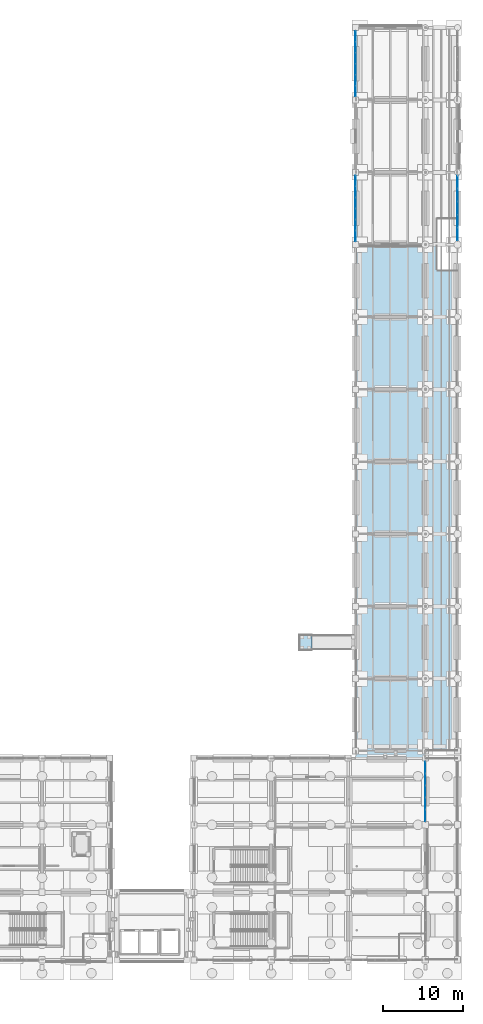
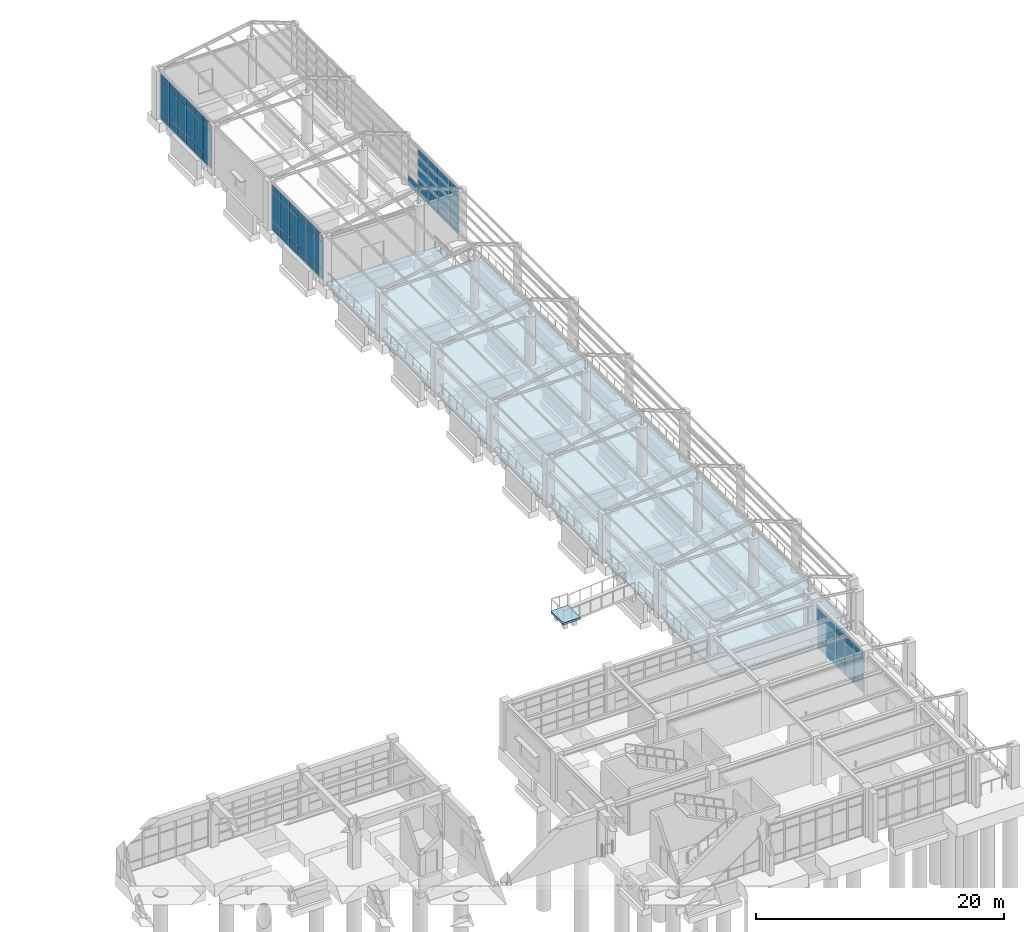
# One storey, part 79 of 111: 64 plates, 3 slabs, 4 elements without a shape of their own.
"""IFC4 building model written with IfcOpenShell, lengths in metres."""

from ifc_helpers import new_model, si_unit, direction, frame, origin, origin_2d, place, context, subcontext, project, spatial, polyline, rectangle, outline, extrude, material, layer, layer_set, type_object, element, aggregate, save


model = new_model("IFC4")

# Units and contexts
model_context = context("Model", 3, precision=1e-05, world=origin(), true_north=direction((0.0, 1.0)))
body_context = subcontext(model_context, "Body", "Model", "MODEL_VIEW")
ifc_project = project(units=[si_unit("LENGTHUNIT", "METRE"), si_unit("AREAUNIT", "SQUARE_METRE"), si_unit("VOLUMEUNIT", "CUBIC_METRE"), si_unit("PLANEANGLEUNIT", "RADIAN"), si_unit("MASSUNIT", "GRAM", prefix="KILO")], contexts=[model_context])

# Site, building, storey
site_placement = place(None, origin())
site = spatial("IfcSite", under=ifc_project, at=site_placement, CompositionType="ELEMENT")
building_placement = place(site_placement, origin())
building = spatial("IfcBuilding", under=site, at=building_placement, Name="Canglan Escarpment Cableway Terminal", CompositionType="ELEMENT")
storey_placement = place(building_placement, frame((0.0, 0.0, 4.800048828125)))
storey = spatial("IfcBuildingStorey", under=building, at=storey_placement, Name="L01", CompositionType="ELEMENT", Elevation=4.800048828125)

# Curtain wall, plates
ifc_material_1 = material(Name="Anodized bronze aluminium and Low-E double glazing", Category="aluminium")
curtain_wall_type_1 = type_object("IfcCurtainWallType", Name="CW-BAY-7525x4125", PredefinedType="NOTDEFINED", material=ifc_material_1)
curtain_wall_1_placement = place(storey_placement, origin())
curtain_wall_1 = element("IfcCurtainWall", 1, at=curtain_wall_1_placement, inside=storey, type_object=curtain_wall_type_1, Name="Classical bay-between-piers glazed curtain wall CW-24", PredefinedType="NOTDEFINED")
ifc_material_2 = material(Name="Double-silver Low-E laminated insulating glass", Category="glass")
ifc_layer_1 = layer(ifc_material_2, 0.02392578125, Name="Double-silver Low-E laminated insulating glass")
ifc_layer_set_1 = layer_set([ifc_layer_1], Name="Double-silver Low-E laminated insulating glass")
plate_type_1 = type_object("IfcPlateType", Name="CWP-01", PredefinedType="CURTAIN_PANEL", material=ifc_layer_set_1)
plate_1_placement = place(storey_placement, frame((176.0, 25.96875, 0.06494140625), z_axis=(0.0, 0.0, 1.0), x_axis=(0.0, 1.0, 0.0)))
plate_1 = element("IfcPlate", 2, at=plate_1_placement, type_object=plate_type_1, Name="CW-24 panel 1.1", PredefinedType="CURTAIN_PANEL", context=body_context, shape_type="SweptSolid", body=[
    extrude(rectangle(XDim=1.407470703125, YDim=0.02392578125, at=origin_2d()), origin(), (0.0, 0.0, 1.0), 0.8525390625),
])
plate_2_placement = place(storey_placement, frame((176.0, 25.96875, 0.982421875), z_axis=(0.0, 0.0, 1.0), x_axis=(0.0, 1.0, 0.0)))
plate_2 = element("IfcPlate", 3, at=plate_2_placement, type_object=plate_type_1, Name="CW-24 panel 1.2", PredefinedType="CURTAIN_PANEL", context=body_context, shape_type="SweptSolid", body=[
    extrude(rectangle(XDim=1.407470703125, YDim=0.02392578125, at=origin_2d()), origin(), (0.0, 0.0, 1.0), 2.260009765625),
])
plate_3_placement = place(storey_placement, frame((176.0, 25.96875, 3.307373046875), z_axis=(0.0, 0.0, 1.0), x_axis=(0.0, 1.0, 0.0)))
plate_3 = element("IfcPlate", 4, at=plate_3_placement, type_object=plate_type_1, Name="CW-24 panel 1.3", PredefinedType="CURTAIN_PANEL", context=body_context, shape_type="SweptSolid", body=[
    extrude(rectangle(XDim=1.407470703125, YDim=0.02392578125, at=origin_2d()), origin(), (0.0, 0.0, 1.0), 0.75244140625),
])
plate_4_placement = place(storey_placement, frame((176.0, 27.45751953125, 0.06494140625), z_axis=(0.0, 0.0, 1.0), x_axis=(0.0, 1.0, 0.0)))
plate_4 = element("IfcPlate", 5, at=plate_4_placement, type_object=plate_type_1, Name="CW-24 panel 2.1", PredefinedType="CURTAIN_PANEL", context=body_context, shape_type="SweptSolid", body=[
    extrude(rectangle(XDim=1.43994140625, YDim=0.02392578125, at=origin_2d()), origin(), (0.0, 0.0, 1.0), 0.8525390625),
])
plate_5_placement = place(storey_placement, frame((176.0, 27.45751953125, 0.982421875), z_axis=(0.0, 0.0, 1.0), x_axis=(0.0, 1.0, 0.0)))
plate_5 = element("IfcPlate", 6, at=plate_5_placement, type_object=plate_type_1, Name="CW-24 panel 2.2", PredefinedType="CURTAIN_PANEL", context=body_context, shape_type="SweptSolid", body=[
    extrude(rectangle(XDim=1.43994140625, YDim=0.02392578125, at=origin_2d()), origin(), (0.0, 0.0, 1.0), 2.260009765625),
])
plate_6_placement = place(storey_placement, frame((176.0, 27.45751953125, 3.307373046875), z_axis=(0.0, 0.0, 1.0), x_axis=(0.0, 1.0, 0.0)))
plate_6 = element("IfcPlate", 7, at=plate_6_placement, type_object=plate_type_1, Name="CW-24 panel 2.3", PredefinedType="CURTAIN_PANEL", context=body_context, shape_type="SweptSolid", body=[
    extrude(rectangle(XDim=1.43994140625, YDim=0.02392578125, at=origin_2d()), origin(), (0.0, 0.0, 1.0), 0.75244140625),
])
plate_7_placement = place(storey_placement, frame((176.0, 28.96240234375, 0.06494140625), z_axis=(0.0, 0.0, 1.0), x_axis=(0.0, 1.0, 0.0)))
plate_7 = element("IfcPlate", 8, at=plate_7_placement, type_object=plate_type_1, Name="CW-24 panel 3.1", PredefinedType="CURTAIN_PANEL", context=body_context, shape_type="SweptSolid", body=[
    extrude(rectangle(XDim=1.43994140625, YDim=0.02392578125, at=origin_2d()), origin(), (0.0, 0.0, 1.0), 0.8525390625),
])
plate_8_placement = place(storey_placement, frame((176.0, 28.96240234375, 0.982421875), z_axis=(0.0, 0.0, 1.0), x_axis=(0.0, 1.0, 0.0)))
plate_8 = element("IfcPlate", 9, at=plate_8_placement, type_object=plate_type_1, Name="CW-24 panel 3.2", PredefinedType="CURTAIN_PANEL", context=body_context, shape_type="SweptSolid", body=[
    extrude(rectangle(XDim=1.43994140625, YDim=0.02392578125, at=origin_2d()), origin(), (0.0, 0.0, 1.0), 2.260009765625),
])
plate_9_placement = place(storey_placement, frame((176.0, 28.96240234375, 3.307373046875), z_axis=(0.0, 0.0, 1.0), x_axis=(0.0, 1.0, 0.0)))
plate_9 = element("IfcPlate", 10, at=plate_9_placement, type_object=plate_type_1, Name="CW-24 panel 3.3", PredefinedType="CURTAIN_PANEL", context=body_context, shape_type="SweptSolid", body=[
    extrude(rectangle(XDim=1.43994140625, YDim=0.02392578125, at=origin_2d()), origin(), (0.0, 0.0, 1.0), 0.75244140625),
])
plate_10_placement = place(storey_placement, frame((176.0, 30.467529296875, 0.06494140625), z_axis=(0.0, 0.0, 1.0), x_axis=(0.0, 1.0, 0.0)))
plate_10 = element("IfcPlate", 11, at=plate_10_placement, type_object=plate_type_1, Name="CW-24 panel 4.1", PredefinedType="CURTAIN_PANEL", context=body_context, shape_type="SweptSolid", body=[
    extrude(rectangle(XDim=1.43994140625, YDim=0.02392578125, at=origin_2d()), origin(), (0.0, 0.0, 1.0), 0.8525390625),
])
plate_11_placement = place(storey_placement, frame((176.0, 30.467529296875, 0.982421875), z_axis=(0.0, 0.0, 1.0), x_axis=(0.0, 1.0, 0.0)))
plate_11 = element("IfcPlate", 12, at=plate_11_placement, type_object=plate_type_1, Name="CW-24 panel 4.2", PredefinedType="CURTAIN_PANEL", context=body_context, shape_type="SweptSolid", body=[
    extrude(rectangle(XDim=1.43994140625, YDim=0.02392578125, at=origin_2d()), origin(), (0.0, 0.0, 1.0), 2.260009765625),
])
plate_12_placement = place(storey_placement, frame((176.0, 30.467529296875, 3.307373046875), z_axis=(0.0, 0.0, 1.0), x_axis=(0.0, 1.0, 0.0)))
plate_12 = element("IfcPlate", 13, at=plate_12_placement, type_object=plate_type_1, Name="CW-24 panel 4.3", PredefinedType="CURTAIN_PANEL", context=body_context, shape_type="SweptSolid", body=[
    extrude(rectangle(XDim=1.43994140625, YDim=0.02392578125, at=origin_2d()), origin(), (0.0, 0.0, 1.0), 0.75244140625),
])
plate_13_placement = place(storey_placement, frame((176.0, 31.956298828125, 0.06494140625), z_axis=(0.0, 0.0, 1.0), x_axis=(0.0, 1.0, 0.0)))
plate_13 = element("IfcPlate", 14, at=plate_13_placement, type_object=plate_type_1, Name="CW-24 panel 5.1", PredefinedType="CURTAIN_PANEL", context=body_context, shape_type="SweptSolid", body=[
    extrude(rectangle(XDim=1.407470703125, YDim=0.02392578125, at=origin_2d()), origin(), (0.0, 0.0, 1.0), 0.8525390625),
])
plate_14_placement = place(storey_placement, frame((176.0, 31.956298828125, 0.982421875), z_axis=(0.0, 0.0, 1.0), x_axis=(0.0, 1.0, 0.0)))
plate_14 = element("IfcPlate", 15, at=plate_14_placement, type_object=plate_type_1, Name="CW-24 panel 5.2", PredefinedType="CURTAIN_PANEL", context=body_context, shape_type="SweptSolid", body=[
    extrude(rectangle(XDim=1.407470703125, YDim=0.02392578125, at=origin_2d()), origin(), (0.0, 0.0, 1.0), 2.260009765625),
])
plate_15_placement = place(storey_placement, frame((176.0, 31.956298828125, 3.307373046875), z_axis=(0.0, 0.0, 1.0), x_axis=(0.0, 1.0, 0.0)))
plate_15 = element("IfcPlate", 16, at=plate_15_placement, type_object=plate_type_1, Name="CW-24 panel 5.3", PredefinedType="CURTAIN_PANEL", context=body_context, shape_type="SweptSolid", body=[
    extrude(rectangle(XDim=1.407470703125, YDim=0.02392578125, at=origin_2d()), origin(), (0.0, 0.0, 1.0), 0.75244140625),
])
aggregate(curtain_wall_1, [plate_1, plate_2, plate_3, plate_4, plate_5, plate_6, plate_7, plate_8, plate_9, plate_10, plate_11, plate_12, plate_13, plate_14, plate_15])

curtain_wall_type_2 = type_object("IfcCurtainWallType", Name="CW-BAY-8250x4550", PredefinedType="NOTDEFINED", material=ifc_material_1)
curtain_wall_2_placement = place(storey_placement, origin())
curtain_wall_2 = element("IfcCurtainWall", 17, at=curtain_wall_2_placement, inside=storey, type_object=curtain_wall_type_2, Name="Classical bay-between-piers glazed curtain wall CW-42", PredefinedType="NOTDEFINED")
ifc_layer_2 = layer(ifc_material_2, 0.028076171875, Name="Double-silver Low-E laminated insulating glass")
ifc_layer_set_2 = layer_set([ifc_layer_2], Name="Double-silver Low-E laminated insulating glass")
plate_type_2 = type_object("IfcPlateType", Name="CWP-02", PredefinedType="CURTAIN_PANEL", material=ifc_layer_set_2)
plate_16_placement = place(storey_placement, frame((167.300048828125, 122.922607421875, 0.05517578125), z_axis=(0.0, 0.0, 1.0), x_axis=(0.0, -1.0, 0.0)))
plate_16 = element("IfcPlate", 18, at=plate_16_placement, type_object=plate_type_2, Name="CW-42 panel 1.1", PredefinedType="CURTAIN_PANEL", context=body_context, shape_type="SweptSolid", body=[
    extrude(rectangle(XDim=1.284912109375, YDim=0.028076171875, at=origin_2d()), origin(), (0.0, 0.0, 1.0), 0.867431640625),
])
plate_17_placement = place(storey_placement, frame((167.300048828125, 122.922607421875, 0.9775390625), z_axis=(0.0, 0.0, 1.0), x_axis=(0.0, -1.0, 0.0)))
plate_17 = element("IfcPlate", 19, at=plate_17_placement, type_object=plate_type_2, Name="CW-42 panel 1.2", PredefinedType="CURTAIN_PANEL", context=body_context, shape_type="SweptSolid", body=[
    extrude(rectangle(XDim=1.284912109375, YDim=0.028076171875, at=origin_2d()), origin(), (0.0, 0.0, 1.0), 2.695068359375),
])
plate_18_placement = place(storey_placement, frame((167.300048828125, 122.922607421875, 3.727294921875), z_axis=(0.0, 0.0, 1.0), x_axis=(0.0, -1.0, 0.0)))
plate_18 = element("IfcPlate", 20, at=plate_18_placement, type_object=plate_type_2, Name="CW-42 panel 1.3", PredefinedType="CURTAIN_PANEL", context=body_context, shape_type="SweptSolid", body=[
    extrude(rectangle(XDim=1.284912109375, YDim=0.028076171875, at=origin_2d()), origin(), (0.0, 0.0, 1.0), 0.767578125),
])
plate_19_placement = place(storey_placement, frame((167.300048828125, 121.5625, 0.05517578125), z_axis=(0.0, 0.0, 1.0), x_axis=(0.0, -1.0, 0.0)))
plate_19 = element("IfcPlate", 21, at=plate_19_placement, type_object=plate_type_2, Name="CW-42 panel 2.1", PredefinedType="CURTAIN_PANEL", context=body_context, shape_type="SweptSolid", body=[
    extrude(rectangle(XDim=1.31494140625, YDim=0.028076171875, at=origin_2d()), origin(), (0.0, 0.0, 1.0), 0.867431640625),
])
plate_20_placement = place(storey_placement, frame((167.300048828125, 121.5625, 0.9775390625), z_axis=(0.0, 0.0, 1.0), x_axis=(0.0, -1.0, 0.0)))
plate_20 = element("IfcPlate", 22, at=plate_20_placement, type_object=plate_type_2, Name="CW-42 panel 2.2", PredefinedType="CURTAIN_PANEL", context=body_context, shape_type="SweptSolid", body=[
    extrude(rectangle(XDim=1.31494140625, YDim=0.028076171875, at=origin_2d()), origin(), (0.0, 0.0, 1.0), 2.695068359375),
])
plate_21_placement = place(storey_placement, frame((167.300048828125, 121.5625, 3.727294921875), z_axis=(0.0, 0.0, 1.0), x_axis=(0.0, -1.0, 0.0)))
plate_21 = element("IfcPlate", 23, at=plate_21_placement, type_object=plate_type_2, Name="CW-42 panel 2.3", PredefinedType="CURTAIN_PANEL", context=body_context, shape_type="SweptSolid", body=[
    extrude(rectangle(XDim=1.31494140625, YDim=0.028076171875, at=origin_2d()), origin(), (0.0, 0.0, 1.0), 0.767578125),
])
plate_22_placement = place(storey_placement, frame((167.300048828125, 120.1875, 0.05517578125), z_axis=(0.0, 0.0, 1.0), x_axis=(0.0, -1.0, 0.0)))
plate_22 = element("IfcPlate", 24, at=plate_22_placement, type_object=plate_type_2, Name="CW-42 panel 3.1", PredefinedType="CURTAIN_PANEL", context=body_context, shape_type="SweptSolid", body=[
    extrude(rectangle(XDim=1.31494140625, YDim=0.028076171875, at=origin_2d()), origin(), (0.0, 0.0, 1.0), 0.867431640625),
])
plate_23_placement = place(storey_placement, frame((167.300048828125, 120.1875, 0.9775390625), z_axis=(0.0, 0.0, 1.0), x_axis=(0.0, -1.0, 0.0)))
plate_23 = element("IfcPlate", 25, at=plate_23_placement, type_object=plate_type_2, Name="CW-42 panel 3.2", PredefinedType="CURTAIN_PANEL", context=body_context, shape_type="SweptSolid", body=[
    extrude(rectangle(XDim=1.31494140625, YDim=0.028076171875, at=origin_2d()), origin(), (0.0, 0.0, 1.0), 2.695068359375),
])
plate_24_placement = place(storey_placement, frame((167.300048828125, 120.1875, 3.727294921875), z_axis=(0.0, 0.0, 1.0), x_axis=(0.0, -1.0, 0.0)))
plate_24 = element("IfcPlate", 26, at=plate_24_placement, type_object=plate_type_2, Name="CW-42 panel 3.3", PredefinedType="CURTAIN_PANEL", context=body_context, shape_type="SweptSolid", body=[
    extrude(rectangle(XDim=1.31494140625, YDim=0.028076171875, at=origin_2d()), origin(), (0.0, 0.0, 1.0), 0.767578125),
])
plate_25_placement = place(storey_placement, frame((167.300048828125, 118.8125, 0.05517578125), z_axis=(0.0, 0.0, 1.0), x_axis=(0.0, -1.0, 0.0)))
plate_25 = element("IfcPlate", 27, at=plate_25_placement, type_object=plate_type_2, Name="CW-42 panel 4.1", PredefinedType="CURTAIN_PANEL", context=body_context, shape_type="SweptSolid", body=[
    extrude(rectangle(XDim=1.31494140625, YDim=0.028076171875, at=origin_2d()), origin(), (0.0, 0.0, 1.0), 0.867431640625),
])
plate_26_placement = place(storey_placement, frame((167.300048828125, 118.8125, 0.9775390625), z_axis=(0.0, 0.0, 1.0), x_axis=(0.0, -1.0, 0.0)))
plate_26 = element("IfcPlate", 28, at=plate_26_placement, type_object=plate_type_2, Name="CW-42 panel 4.2", PredefinedType="CURTAIN_PANEL", context=body_context, shape_type="SweptSolid", body=[
    extrude(rectangle(XDim=1.31494140625, YDim=0.028076171875, at=origin_2d()), origin(), (0.0, 0.0, 1.0), 2.695068359375),
])
plate_27_placement = place(storey_placement, frame((167.300048828125, 118.8125, 3.727294921875), z_axis=(0.0, 0.0, 1.0), x_axis=(0.0, -1.0, 0.0)))
plate_27 = element("IfcPlate", 29, at=plate_27_placement, type_object=plate_type_2, Name="CW-42 panel 4.3", PredefinedType="CURTAIN_PANEL", context=body_context, shape_type="SweptSolid", body=[
    extrude(rectangle(XDim=1.31494140625, YDim=0.028076171875, at=origin_2d()), origin(), (0.0, 0.0, 1.0), 0.767578125),
])
plate_28_placement = place(storey_placement, frame((167.300048828125, 117.4375, 0.05517578125), z_axis=(0.0, 0.0, 1.0), x_axis=(0.0, -1.0, 0.0)))
plate_28 = element("IfcPlate", 30, at=plate_28_placement, type_object=plate_type_2, Name="CW-42 panel 5.1", PredefinedType="CURTAIN_PANEL", context=body_context, shape_type="SweptSolid", body=[
    extrude(rectangle(XDim=1.31494140625, YDim=0.028076171875, at=origin_2d()), origin(), (0.0, 0.0, 1.0), 0.867431640625),
])
plate_29_placement = place(storey_placement, frame((167.300048828125, 117.4375, 0.9775390625), z_axis=(0.0, 0.0, 1.0), x_axis=(0.0, -1.0, 0.0)))
plate_29 = element("IfcPlate", 31, at=plate_29_placement, type_object=plate_type_2, Name="CW-42 panel 5.2", PredefinedType="CURTAIN_PANEL", context=body_context, shape_type="SweptSolid", body=[
    extrude(rectangle(XDim=1.31494140625, YDim=0.028076171875, at=origin_2d()), origin(), (0.0, 0.0, 1.0), 2.695068359375),
])
plate_30_placement = place(storey_placement, frame((167.300048828125, 117.4375, 3.727294921875), z_axis=(0.0, 0.0, 1.0), x_axis=(0.0, -1.0, 0.0)))
plate_30 = element("IfcPlate", 32, at=plate_30_placement, type_object=plate_type_2, Name="CW-42 panel 5.3", PredefinedType="CURTAIN_PANEL", context=body_context, shape_type="SweptSolid", body=[
    extrude(rectangle(XDim=1.31494140625, YDim=0.028076171875, at=origin_2d()), origin(), (0.0, 0.0, 1.0), 0.767578125),
])
plate_31_placement = place(storey_placement, frame((167.300048828125, 116.077392578125, 0.05517578125), z_axis=(0.0, 0.0, 1.0), x_axis=(0.0, -1.0, 0.0)))
plate_31 = element("IfcPlate", 33, at=plate_31_placement, type_object=plate_type_2, Name="CW-42 panel 6.1", PredefinedType="CURTAIN_PANEL", context=body_context, shape_type="SweptSolid", body=[
    extrude(rectangle(XDim=1.284912109375, YDim=0.028076171875, at=origin_2d()), origin(), (0.0, 0.0, 1.0), 0.867431640625),
])
plate_32_placement = place(storey_placement, frame((167.300048828125, 116.077392578125, 0.9775390625), z_axis=(0.0, 0.0, 1.0), x_axis=(0.0, -1.0, 0.0)))
plate_32 = element("IfcPlate", 34, at=plate_32_placement, type_object=plate_type_2, Name="CW-42 panel 6.2", PredefinedType="CURTAIN_PANEL", context=body_context, shape_type="SweptSolid", body=[
    extrude(rectangle(XDim=1.284912109375, YDim=0.028076171875, at=origin_2d()), origin(), (0.0, 0.0, 1.0), 2.695068359375),
])
plate_33_placement = place(storey_placement, frame((167.300048828125, 116.077392578125, 3.727294921875), z_axis=(0.0, 0.0, 1.0), x_axis=(0.0, -1.0, 0.0)))
plate_33 = element("IfcPlate", 35, at=plate_33_placement, type_object=plate_type_2, Name="CW-42 panel 6.3", PredefinedType="CURTAIN_PANEL", context=body_context, shape_type="SweptSolid", body=[
    extrude(rectangle(XDim=1.284912109375, YDim=0.028076171875, at=origin_2d()), origin(), (0.0, 0.0, 1.0), 0.767578125),
])
aggregate(curtain_wall_2, [plate_16, plate_17, plate_18, plate_19, plate_20, plate_21, plate_22, plate_23, plate_24, plate_25, plate_26, plate_27, plate_28, plate_29, plate_30, plate_31, plate_32, plate_33])

curtain_wall_type_3 = type_object("IfcCurtainWallType", Name="CW-BAY-8175x4550", PredefinedType="NOTDEFINED", material=ifc_material_1)
curtain_wall_3_placement = place(storey_placement, origin())
curtain_wall_3 = element("IfcCurtainWall", 36, at=curtain_wall_3_placement, inside=storey, type_object=curtain_wall_type_3, Name="Classical bay-between-piers glazed curtain wall CW-41", PredefinedType="NOTDEFINED")
ifc_layer_3 = layer(ifc_material_2, 0.035888671875, Name="Double-silver Low-E laminated insulating glass")
ifc_layer_set_3 = layer_set([ifc_layer_3], Name="Double-silver Low-E laminated insulating glass")
plate_type_3 = type_object("IfcPlateType", Name="CWP-04", PredefinedType="CURTAIN_PANEL", material=ifc_layer_set_3)
plate_34_placement = place(storey_placement, frame((180.0, 98.28369140625, 0.06005859375), z_axis=(0.0, 0.0, 1.0), x_axis=(0.0, 1.0, 0.0)))
plate_34 = element("IfcPlate", 37, at=plate_34_placement, type_object=plate_type_3, Name="CW-41 panel 1.1", PredefinedType="CURTAIN_PANEL", context=body_context, shape_type="SweptSolid", body=[
    extrude(rectangle(XDim=1.53759765625, YDim=0.035888671875, at=origin_2d()), origin(), (0.0, 0.0, 1.0), 0.860107421875),
])
plate_35_placement = place(storey_placement, frame((180.0, 98.28369140625, 0.97998046875), z_axis=(0.0, 0.0, 1.0), x_axis=(0.0, 1.0, 0.0)))
plate_35 = element("IfcPlate", 38, at=plate_35_placement, type_object=plate_type_3, Name="CW-41 panel 1.2", PredefinedType="CURTAIN_PANEL", context=body_context, shape_type="SweptSolid", body=[
    extrude(rectangle(XDim=1.53759765625, YDim=0.035888671875, at=origin_2d()), origin(), (0.0, 0.0, 1.0), 2.68994140625),
])
plate_36_placement = place(storey_placement, frame((180.0, 98.28369140625, 3.72998046875), z_axis=(0.0, 0.0, 1.0), x_axis=(0.0, 1.0, 0.0)))
plate_36 = element("IfcPlate", 39, at=plate_36_placement, type_object=plate_type_3, Name="CW-41 panel 1.3", PredefinedType="CURTAIN_PANEL", context=body_context, shape_type="SweptSolid", body=[
    extrude(rectangle(XDim=1.53759765625, YDim=0.035888671875, at=origin_2d()), origin(), (0.0, 0.0, 1.0), 0.760009765625),
])
plate_37_placement = place(storey_placement, frame((180.0, 99.902587890625, 0.06005859375), z_axis=(0.0, 0.0, 1.0), x_axis=(0.0, 1.0, 0.0)))
plate_37 = element("IfcPlate", 40, at=plate_37_placement, type_object=plate_type_3, Name="CW-41 panel 2.1", PredefinedType="CURTAIN_PANEL", context=body_context, shape_type="SweptSolid", body=[
    extrude(rectangle(XDim=1.570068359375, YDim=0.035888671875, at=origin_2d()), origin(), (0.0, 0.0, 1.0), 0.860107421875),
])
plate_38_placement = place(storey_placement, frame((180.0, 99.902587890625, 0.97998046875), z_axis=(0.0, 0.0, 1.0), x_axis=(0.0, 1.0, 0.0)))
plate_38 = element("IfcPlate", 41, at=plate_38_placement, type_object=plate_type_3, Name="CW-41 panel 2.2", PredefinedType="CURTAIN_PANEL", context=body_context, shape_type="SweptSolid", body=[
    extrude(rectangle(XDim=1.570068359375, YDim=0.035888671875, at=origin_2d()), origin(), (0.0, 0.0, 1.0), 2.68994140625),
])
plate_39_placement = place(storey_placement, frame((180.0, 99.902587890625, 3.72998046875), z_axis=(0.0, 0.0, 1.0), x_axis=(0.0, 1.0, 0.0)))
plate_39 = element("IfcPlate", 42, at=plate_39_placement, type_object=plate_type_3, Name="CW-41 panel 2.3", PredefinedType="CURTAIN_PANEL", context=body_context, shape_type="SweptSolid", body=[
    extrude(rectangle(XDim=1.570068359375, YDim=0.035888671875, at=origin_2d()), origin(), (0.0, 0.0, 1.0), 0.760009765625),
])
plate_40_placement = place(storey_placement, frame((180.0, 101.53759765625, 0.06005859375), z_axis=(0.0, 0.0, 1.0), x_axis=(0.0, 1.0, 0.0)))
plate_40 = element("IfcPlate", 43, at=plate_40_placement, type_object=plate_type_3, Name="CW-41 panel 3.1", PredefinedType="CURTAIN_PANEL", context=body_context, shape_type="SweptSolid", body=[
    extrude(rectangle(XDim=1.570068359375, YDim=0.035888671875, at=origin_2d()), origin(), (0.0, 0.0, 1.0), 0.860107421875),
])
plate_41_placement = place(storey_placement, frame((180.0, 101.53759765625, 0.97998046875), z_axis=(0.0, 0.0, 1.0), x_axis=(0.0, 1.0, 0.0)))
plate_41 = element("IfcPlate", 44, at=plate_41_placement, type_object=plate_type_3, Name="CW-41 panel 3.2", PredefinedType="CURTAIN_PANEL", context=body_context, shape_type="SweptSolid", body=[
    extrude(rectangle(XDim=1.570068359375, YDim=0.035888671875, at=origin_2d()), origin(), (0.0, 0.0, 1.0), 2.68994140625),
])
plate_42_placement = place(storey_placement, frame((180.0, 101.53759765625, 3.72998046875), z_axis=(0.0, 0.0, 1.0), x_axis=(0.0, 1.0, 0.0)))
plate_42 = element("IfcPlate", 45, at=plate_42_placement, type_object=plate_type_3, Name="CW-41 panel 3.3", PredefinedType="CURTAIN_PANEL", context=body_context, shape_type="SweptSolid", body=[
    extrude(rectangle(XDim=1.570068359375, YDim=0.035888671875, at=origin_2d()), origin(), (0.0, 0.0, 1.0), 0.760009765625),
])
plate_43_placement = place(storey_placement, frame((180.0, 103.172607421875, 0.06005859375), z_axis=(0.0, 0.0, 1.0), x_axis=(0.0, 1.0, 0.0)))
plate_43 = element("IfcPlate", 46, at=plate_43_placement, type_object=plate_type_3, Name="CW-41 panel 4.1", PredefinedType="CURTAIN_PANEL", context=body_context, shape_type="SweptSolid", body=[
    extrude(rectangle(XDim=1.570068359375, YDim=0.035888671875, at=origin_2d()), origin(), (0.0, 0.0, 1.0), 0.860107421875),
])
plate_44_placement = place(storey_placement, frame((180.0, 103.172607421875, 0.97998046875), z_axis=(0.0, 0.0, 1.0), x_axis=(0.0, 1.0, 0.0)))
plate_44 = element("IfcPlate", 47, at=plate_44_placement, type_object=plate_type_3, Name="CW-41 panel 4.2", PredefinedType="CURTAIN_PANEL", context=body_context, shape_type="SweptSolid", body=[
    extrude(rectangle(XDim=1.570068359375, YDim=0.035888671875, at=origin_2d()), origin(), (0.0, 0.0, 1.0), 2.68994140625),
])
plate_45_placement = place(storey_placement, frame((180.0, 103.172607421875, 3.72998046875), z_axis=(0.0, 0.0, 1.0), x_axis=(0.0, 1.0, 0.0)))
plate_45 = element("IfcPlate", 48, at=plate_45_placement, type_object=plate_type_3, Name="CW-41 panel 4.3", PredefinedType="CURTAIN_PANEL", context=body_context, shape_type="SweptSolid", body=[
    extrude(rectangle(XDim=1.570068359375, YDim=0.035888671875, at=origin_2d()), origin(), (0.0, 0.0, 1.0), 0.760009765625),
])
plate_46_placement = place(storey_placement, frame((180.0, 104.791259765625, 0.06005859375), z_axis=(0.0, 0.0, 1.0), x_axis=(0.0, 1.0, 0.0)))
plate_46 = element("IfcPlate", 49, at=plate_46_placement, type_object=plate_type_3, Name="CW-41 panel 5.1", PredefinedType="CURTAIN_PANEL", context=body_context, shape_type="SweptSolid", body=[
    extrude(rectangle(XDim=1.53759765625, YDim=0.035888671875, at=origin_2d()), origin(), (0.0, 0.0, 1.0), 0.860107421875),
])
aggregate(curtain_wall_3, [plate_34, plate_35, plate_36, plate_37, plate_38, plate_39, plate_40, plate_41, plate_42, plate_43, plate_44, plate_45, plate_46])

curtain_wall_4_placement = place(storey_placement, origin())
curtain_wall_4 = element("IfcCurtainWall", 50, at=curtain_wall_4_placement, inside=storey, type_object=curtain_wall_type_2, Name="Classical bay-between-piers glazed curtain wall CW-42", PredefinedType="NOTDEFINED")
plate_47_placement = place(storey_placement, frame((167.300048828125, 104.921142578125, 0.06005859375), z_axis=(0.0, 0.0, 1.0), x_axis=(0.0, -1.0, 0.0)))
plate_47 = element("IfcPlate", 51, at=plate_47_placement, type_object=plate_type_3, Name="CW-42 panel 1.1", PredefinedType="CURTAIN_PANEL", context=body_context, shape_type="SweptSolid", body=[
    extrude(rectangle(XDim=1.277587890625, YDim=0.035888671875, at=origin_2d()), origin(), (0.0, 0.0, 1.0), 0.860107421875),
])
plate_48_placement = place(storey_placement, frame((167.300048828125, 104.921142578125, 0.97998046875), z_axis=(0.0, 0.0, 1.0), x_axis=(0.0, -1.0, 0.0)))
plate_48 = element("IfcPlate", 52, at=plate_48_placement, type_object=plate_type_3, Name="CW-42 panel 1.2", PredefinedType="CURTAIN_PANEL", context=body_context, shape_type="SweptSolid", body=[
    extrude(rectangle(XDim=1.277587890625, YDim=0.035888671875, at=origin_2d()), origin(), (0.0, 0.0, 1.0), 2.68994140625),
])
plate_49_placement = place(storey_placement, frame((167.300048828125, 104.921142578125, 3.72998046875), z_axis=(0.0, 0.0, 1.0), x_axis=(0.0, -1.0, 0.0)))
plate_49 = element("IfcPlate", 53, at=plate_49_placement, type_object=plate_type_3, Name="CW-42 panel 1.3", PredefinedType="CURTAIN_PANEL", context=body_context, shape_type="SweptSolid", body=[
    extrude(rectangle(XDim=1.277587890625, YDim=0.035888671875, at=origin_2d()), origin(), (0.0, 0.0, 1.0), 0.760009765625),
])
plate_50_placement = place(storey_placement, frame((167.300048828125, 103.5625, 0.06005859375), z_axis=(0.0, 0.0, 1.0), x_axis=(0.0, -1.0, 0.0)))
plate_50 = element("IfcPlate", 54, at=plate_50_placement, type_object=plate_type_3, Name="CW-42 panel 2.1", PredefinedType="CURTAIN_PANEL", context=body_context, shape_type="SweptSolid", body=[
    extrude(rectangle(XDim=1.31005859375, YDim=0.035888671875, at=origin_2d()), origin(), (0.0, 0.0, 1.0), 0.860107421875),
])
plate_51_placement = place(storey_placement, frame((167.300048828125, 103.5625, 0.97998046875), z_axis=(0.0, 0.0, 1.0), x_axis=(0.0, -1.0, 0.0)))
plate_51 = element("IfcPlate", 55, at=plate_51_placement, type_object=plate_type_3, Name="CW-42 panel 2.2", PredefinedType="CURTAIN_PANEL", context=body_context, shape_type="SweptSolid", body=[
    extrude(rectangle(XDim=1.31005859375, YDim=0.035888671875, at=origin_2d()), origin(), (0.0, 0.0, 1.0), 2.68994140625),
])
plate_52_placement = place(storey_placement, frame((167.300048828125, 103.5625, 3.72998046875), z_axis=(0.0, 0.0, 1.0), x_axis=(0.0, -1.0, 0.0)))
plate_52 = element("IfcPlate", 56, at=plate_52_placement, type_object=plate_type_3, Name="CW-42 panel 2.3", PredefinedType="CURTAIN_PANEL", context=body_context, shape_type="SweptSolid", body=[
    extrude(rectangle(XDim=1.31005859375, YDim=0.035888671875, at=origin_2d()), origin(), (0.0, 0.0, 1.0), 0.760009765625),
])
plate_53_placement = place(storey_placement, frame((167.300048828125, 102.1875, 0.06005859375), z_axis=(0.0, 0.0, 1.0), x_axis=(0.0, -1.0, 0.0)))
plate_53 = element("IfcPlate", 57, at=plate_53_placement, type_object=plate_type_3, Name="CW-42 panel 3.1", PredefinedType="CURTAIN_PANEL", context=body_context, shape_type="SweptSolid", body=[
    extrude(rectangle(XDim=1.31005859375, YDim=0.035888671875, at=origin_2d()), origin(), (0.0, 0.0, 1.0), 0.860107421875),
])
plate_54_placement = place(storey_placement, frame((167.300048828125, 102.1875, 0.97998046875), z_axis=(0.0, 0.0, 1.0), x_axis=(0.0, -1.0, 0.0)))
plate_54 = element("IfcPlate", 58, at=plate_54_placement, type_object=plate_type_3, Name="CW-42 panel 3.2", PredefinedType="CURTAIN_PANEL", context=body_context, shape_type="SweptSolid", body=[
    extrude(rectangle(XDim=1.31005859375, YDim=0.035888671875, at=origin_2d()), origin(), (0.0, 0.0, 1.0), 2.68994140625),
])
plate_55_placement = place(storey_placement, frame((167.300048828125, 102.1875, 3.72998046875), z_axis=(0.0, 0.0, 1.0), x_axis=(0.0, -1.0, 0.0)))
plate_55 = element("IfcPlate", 59, at=plate_55_placement, type_object=plate_type_3, Name="CW-42 panel 3.3", PredefinedType="CURTAIN_PANEL", context=body_context, shape_type="SweptSolid", body=[
    extrude(rectangle(XDim=1.31005859375, YDim=0.035888671875, at=origin_2d()), origin(), (0.0, 0.0, 1.0), 0.760009765625),
])
plate_56_placement = place(storey_placement, frame((167.300048828125, 100.8125, 0.06005859375), z_axis=(0.0, 0.0, 1.0), x_axis=(0.0, -1.0, 0.0)))
plate_56 = element("IfcPlate", 60, at=plate_56_placement, type_object=plate_type_3, Name="CW-42 panel 4.1", PredefinedType="CURTAIN_PANEL", context=body_context, shape_type="SweptSolid", body=[
    extrude(rectangle(XDim=1.31005859375, YDim=0.035888671875, at=origin_2d()), origin(), (0.0, 0.0, 1.0), 0.860107421875),
])
plate_57_placement = place(storey_placement, frame((167.300048828125, 100.8125, 0.97998046875), z_axis=(0.0, 0.0, 1.0), x_axis=(0.0, -1.0, 0.0)))
plate_57 = element("IfcPlate", 61, at=plate_57_placement, type_object=plate_type_3, Name="CW-42 panel 4.2", PredefinedType="CURTAIN_PANEL", context=body_context, shape_type="SweptSolid", body=[
    extrude(rectangle(XDim=1.31005859375, YDim=0.035888671875, at=origin_2d()), origin(), (0.0, 0.0, 1.0), 2.68994140625),
])
plate_58_placement = place(storey_placement, frame((167.300048828125, 100.8125, 3.72998046875), z_axis=(0.0, 0.0, 1.0), x_axis=(0.0, -1.0, 0.0)))
plate_58 = element("IfcPlate", 62, at=plate_58_placement, type_object=plate_type_3, Name="CW-42 panel 4.3", PredefinedType="CURTAIN_PANEL", context=body_context, shape_type="SweptSolid", body=[
    extrude(rectangle(XDim=1.31005859375, YDim=0.035888671875, at=origin_2d()), origin(), (0.0, 0.0, 1.0), 0.760009765625),
])
plate_59_placement = place(storey_placement, frame((167.300048828125, 99.4375, 0.06005859375), z_axis=(0.0, 0.0, 1.0), x_axis=(0.0, -1.0, 0.0)))
plate_59 = element("IfcPlate", 63, at=plate_59_placement, type_object=plate_type_3, Name="CW-42 panel 5.1", PredefinedType="CURTAIN_PANEL", context=body_context, shape_type="SweptSolid", body=[
    extrude(rectangle(XDim=1.31005859375, YDim=0.035888671875, at=origin_2d()), origin(), (0.0, 0.0, 1.0), 0.860107421875),
])
plate_60_placement = place(storey_placement, frame((167.300048828125, 99.4375, 0.97998046875), z_axis=(0.0, 0.0, 1.0), x_axis=(0.0, -1.0, 0.0)))
plate_60 = element("IfcPlate", 64, at=plate_60_placement, type_object=plate_type_3, Name="CW-42 panel 5.2", PredefinedType="CURTAIN_PANEL", context=body_context, shape_type="SweptSolid", body=[
    extrude(rectangle(XDim=1.31005859375, YDim=0.035888671875, at=origin_2d()), origin(), (0.0, 0.0, 1.0), 2.68994140625),
])
plate_61_placement = place(storey_placement, frame((167.300048828125, 99.4375, 3.72998046875), z_axis=(0.0, 0.0, 1.0), x_axis=(0.0, -1.0, 0.0)))
plate_61 = element("IfcPlate", 65, at=plate_61_placement, type_object=plate_type_3, Name="CW-42 panel 5.3", PredefinedType="CURTAIN_PANEL", context=body_context, shape_type="SweptSolid", body=[
    extrude(rectangle(XDim=1.31005859375, YDim=0.035888671875, at=origin_2d()), origin(), (0.0, 0.0, 1.0), 0.760009765625),
])
plate_62_placement = place(storey_placement, frame((167.300048828125, 98.078857421875, 0.06005859375), z_axis=(0.0, 0.0, 1.0), x_axis=(0.0, -1.0, 0.0)))
plate_62 = element("IfcPlate", 66, at=plate_62_placement, type_object=plate_type_3, Name="CW-42 panel 6.1", PredefinedType="CURTAIN_PANEL", context=body_context, shape_type="SweptSolid", body=[
    extrude(rectangle(XDim=1.277587890625, YDim=0.035888671875, at=origin_2d()), origin(), (0.0, 0.0, 1.0), 0.860107421875),
])
plate_63_placement = place(storey_placement, frame((167.300048828125, 98.078857421875, 0.97998046875), z_axis=(0.0, 0.0, 1.0), x_axis=(0.0, -1.0, 0.0)))
plate_63 = element("IfcPlate", 67, at=plate_63_placement, type_object=plate_type_3, Name="CW-42 panel 6.2", PredefinedType="CURTAIN_PANEL", context=body_context, shape_type="SweptSolid", body=[
    extrude(rectangle(XDim=1.277587890625, YDim=0.035888671875, at=origin_2d()), origin(), (0.0, 0.0, 1.0), 2.68994140625),
])
plate_64_placement = place(storey_placement, frame((167.300048828125, 98.078857421875, 3.72998046875), z_axis=(0.0, 0.0, 1.0), x_axis=(0.0, -1.0, 0.0)))
plate_64 = element("IfcPlate", 68, at=plate_64_placement, type_object=plate_type_3, Name="CW-42 panel 6.3", PredefinedType="CURTAIN_PANEL", context=body_context, shape_type="SweptSolid", body=[
    extrude(rectangle(XDim=1.277587890625, YDim=0.035888671875, at=origin_2d()), origin(), (0.0, 0.0, 1.0), 0.760009765625),
])
aggregate(curtain_wall_4, [plate_47, plate_48, plate_49, plate_50, plate_51, plate_52, plate_53, plate_54, plate_55, plate_56, plate_57, plate_58, plate_59, plate_60, plate_61, plate_62, plate_63, plate_64])

# Slabs
ifc_material_3 = material(Name="Concrete C40", Category="concrete")
ifc_layer_4 = layer(ifc_material_3, 0.31005859375, Name="Concrete C40")
ifc_layer_set_4 = layer_set([ifc_layer_4], Name="Concrete C40")
slab_type_1 = type_object("IfcSlabType", Name="SLB-COLN-310", PredefinedType="FLOOR", material=ifc_layer_set_4)
slab_1_placement = place(storey_placement, frame((0.0, 0.0, -0.31005859375)))
element("IfcSlab", 69, at=slab_1_placement, inside=storey, type_object=slab_type_1, Name="Classical colonnade terrace slab SC-01S", PredefinedType="FLOOR", context=body_context, shape_type="SweptSolid", body=[
    extrude(outline(polyline([(167.300048828125, 34.0), (180.0, 34.0), (180.0, 93.800048828125), (177.4599609375, 93.800048828125), (177.4599609375, 97.0), (167.300048828125, 97.0), (167.300048828125, 34.0)])), origin(), (0.0, 0.0, 1.0), 0.31005859375),
])
ifc_layer_5 = layer(ifc_material_3, 0.219970703125, Name="Concrete C40")
ifc_layer_set_5 = layer_set([ifc_layer_5], Name="Concrete C40")
slab_type_2 = type_object("IfcSlabType", Name="SLB-LINK-220", PredefinedType="FLOOR", material=ifc_layer_set_5)
slab_2_placement = place(storey_placement, frame((0.0, 0.0, -0.219970703125)))
element("IfcSlab", 70, at=slab_2_placement, inside=storey, type_object=slab_type_2, Name="Movement-joint concourse link slab MJ-S1", PredefinedType="FLOOR", context=body_context, shape_type="SweptSolid", body=[
    extrude(outline(polyline([(176.0, 33.10498046875), (167.300048828125, 33.10498046875), (167.300048828125, 33.9951171875), (176.0, 33.9951171875), (176.0, 33.10498046875)])), origin(), (0.0, 0.0, 1.0), 0.219970703125),
])
ifc_layer_6 = layer(ifc_material_3, 0.199951171875, Name="Concrete C40")
ifc_layer_set_6 = layer_set([ifc_layer_6], Name="Concrete C40")
slab_type_3 = type_object("IfcSlabType", Name="SLB-RMP-LAND-200", PredefinedType="LANDING", material=ifc_layer_set_6)
slab_3_placement = place(storey_placement, frame((0.0, 0.0, -0.650146484375)))
element("IfcSlab", 71, at=slab_3_placement, inside=storey, type_object=slab_type_3, Name="Accessible Cloister Colonnade Ramp 4 bottom landing", PredefinedType="LANDING", context=body_context, shape_type="SweptSolid", body=[
    extrude(outline(polyline([(160.300048828125, 46.5), (161.89990234375, 46.5), (161.89990234375, 48.5), (160.300048828125, 48.5), (160.300048828125, 46.5)])), origin(), (0.0, 0.0, 1.0), 0.2001953125),
])

save(model, "model.ifc")
